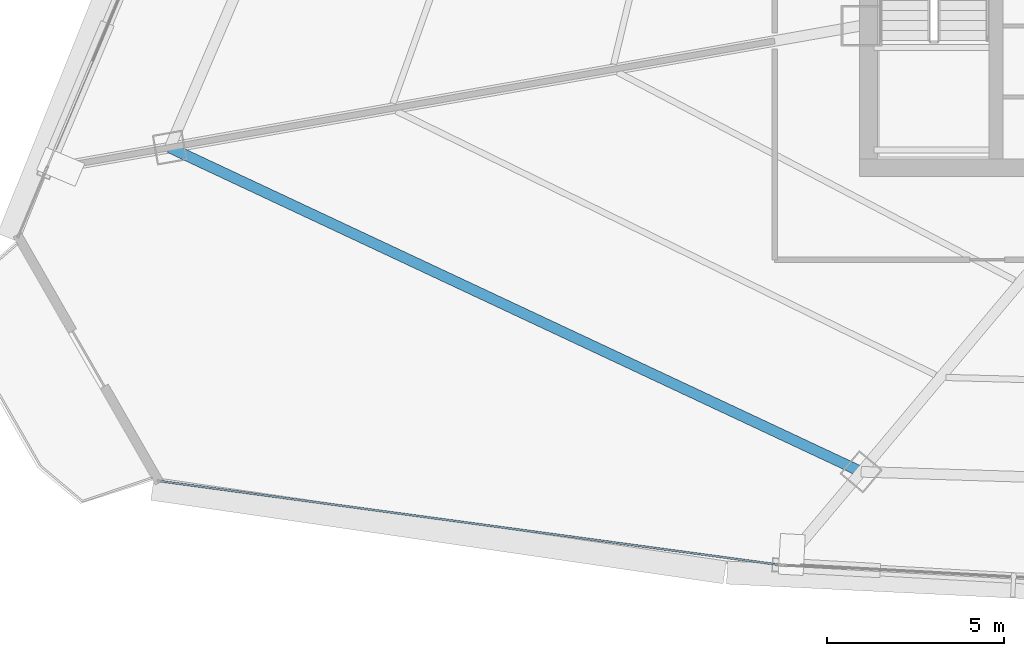
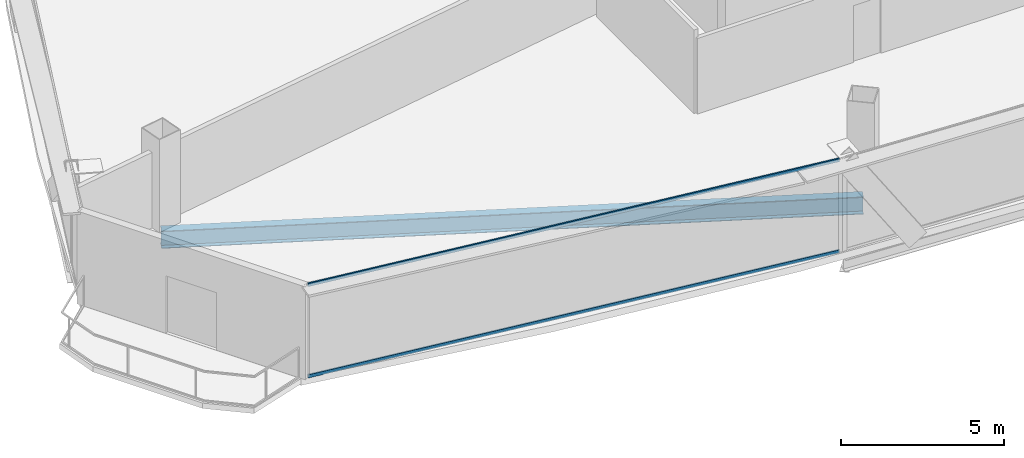
# One storey, part 3 of 35: 2 members, 1 beam, 1 element without a shape of its own.
"""IFC4 building model written with IfcOpenShell, lengths in metres."""

from ifc_helpers import new_model, si_unit, direction, frame, origin, origin_2d, place, context, subcontext, project, spatial, hollow_rectangle, i_section, extrude, source, transform, mapped, material, layer, layer_set, material_profile, profile_set, type_object, element, aggregate, save


model = new_model("IFC4")

# Units and contexts
model_context = context("Model", 3, precision=1e-05, world=origin(), true_north=direction((0.0, 1.0)))
body_context = subcontext(model_context, "Body", "Model", "MODEL_VIEW")
ifc_project = project(units=[si_unit("LENGTHUNIT", "METRE"), si_unit("AREAUNIT", "SQUARE_METRE"), si_unit("VOLUMEUNIT", "CUBIC_METRE"), si_unit("PLANEANGLEUNIT", "RADIAN"), si_unit("MASSUNIT", "GRAM", prefix="KILO"), si_unit("THERMODYNAMICTEMPERATUREUNIT", "KELVIN"), si_unit("POWERUNIT", "WATT")], contexts=[model_context])

# Site, building, storey
site_placement = place(None, origin())
site = spatial("IfcSite", under=ifc_project, at=site_placement, CompositionType="ELEMENT")
building_placement = place(site_placement, origin())
building = spatial("IfcBuilding", under=site, at=building_placement, Name="Yunzhuo Pagoda Commons", CompositionType="ELEMENT")
storey_placement = place(building_placement, frame((0.0, 0.0, 237.070068359375)))
storey = spatial("IfcBuildingStorey", under=building, at=storey_placement, Name="L59", CompositionType="ELEMENT", Elevation=237.070068359375)

# Beam
ifc_material_1 = material(Name="Structural steel Q355B", Category="steel")
ifc_material_profile_1 = material_profile(ifc_material_1, i_section(OverallWidth=0.300048828125, OverallDepth=0.64990234375, WebThickness=0.012939453125, FlangeThickness=0.02197265625, at=origin_2d()), Name="Structural steel Q355B")
ifc_profile_set_1 = profile_set([ifc_material_profile_1], Name="Structural steel Q355B")
beam_type = type_object("IfcBeamType", Name="B-RG2 Beam HN 650x300x13x22", PredefinedType="BEAM", material=ifc_profile_set_1)
shared_shape_1 = source(origin(), body_context, "Body", "SweptSolid", [
    extrude(i_section(OverallWidth=0.300048828125, OverallDepth=0.64990234375, WebThickness=0.012939453125, FlangeThickness=0.02197265625, at=origin_2d()), origin(), (0.0, 0.0, 1.0), 21.56689453125),
])
beam_placement = place(storey_placement, frame((16.06591796875, 28.069091796875, -0.5849609375), z_axis=(0.905424265365, -0.424507832304, 0.0), x_axis=(0.424507832304, 0.905424265365, 0.0)))
element("IfcBeam", 1, at=beam_placement, inside=storey, type_object=beam_type, Name="L59 column-ring beam 12", PredefinedType="BEAM", context=body_context, shape_type="MappedRepresentation", body=[
    mapped(shared_shape_1, transform((0.0, 0.0, 0.0), scale=1.0)),
])

# Curtain wall, members
ifc_material_2 = material(Name="Anodized aluminium 6063-T6", Category="aluminium")
ifc_layer = layer(ifc_material_2, 0.139892578125)
ifc_layer_set = layer_set([ifc_layer], Name="Anodized aluminium 6063-T6")
curtain_wall_type = type_object("IfcCurtainWallType", Name="CW-HI High-Zone Ribbon Curtain Wall", PredefinedType="NOTDEFINED", material=ifc_layer_set)
curtain_wall_placement = place(storey_placement, origin())
curtain_wall = element("IfcCurtainWall", 2, at=curtain_wall_placement, inside=storey, type_object=curtain_wall_type, Name="L59 curtain wall CW-L59-F1B1", PredefinedType="NOTDEFINED")
ifc_material_profile_2 = material_profile(ifc_material_2, hollow_rectangle(XDim=0.054931640625, YDim=0.1201171875, WallThickness=0.00341796875, at=origin_2d()), Name="Anodized aluminium 6063-T6")
ifc_profile_set_2 = profile_set([ifc_material_profile_2], Name="Anodized aluminium 6063-T6")
member_type = type_object("IfcMemberType", Name="CW-HI-T Transom RHS 120x55x3.5", PredefinedType="USERDEFINED", material=ifc_profile_set_2)
shared_shape_2 = source(origin(), body_context, "Body", "SweptSolid", [
    extrude(hollow_rectangle(XDim=0.054931640625, YDim=0.1201171875, WallThickness=0.00341796875, at=origin_2d()), origin(), (0.0, 0.0, 1.0), 17.590087890625),
])
member_1_placement = place(storey_placement, frame((15.81201171875, 18.647216796875, 0.02734375), z_axis=(0.990991783223, -0.133922685102, 0.0), x_axis=(0.133922685102, 0.990991783223, 0.0)))
member_1 = element("IfcMember", 3, at=member_1_placement, type_object=member_type, Name="CW transom 1.1", ObjectType="TRANSOM", PredefinedType="USERDEFINED", context=body_context, shape_type="MappedRepresentation", body=[
    mapped(shared_shape_2, transform((0.0, 0.0, 0.0), scale=1.0)),
])
member_2_placement = place(storey_placement, frame((15.81201171875, 18.647216796875, 3.4423828125), z_axis=(0.990991783223, -0.133922685102, 0.0), x_axis=(0.133922685102, 0.990991783223, 0.0)))
member_2 = element("IfcMember", 4, at=member_2_placement, type_object=member_type, Name="CW transom 1.2", ObjectType="TRANSOM", PredefinedType="USERDEFINED", context=body_context, shape_type="MappedRepresentation", body=[
    mapped(shared_shape_2, transform((0.0, 0.0, 0.0), scale=1.0)),
])
aggregate(curtain_wall, [member_1, member_2])

save(model, "model.ifc")
